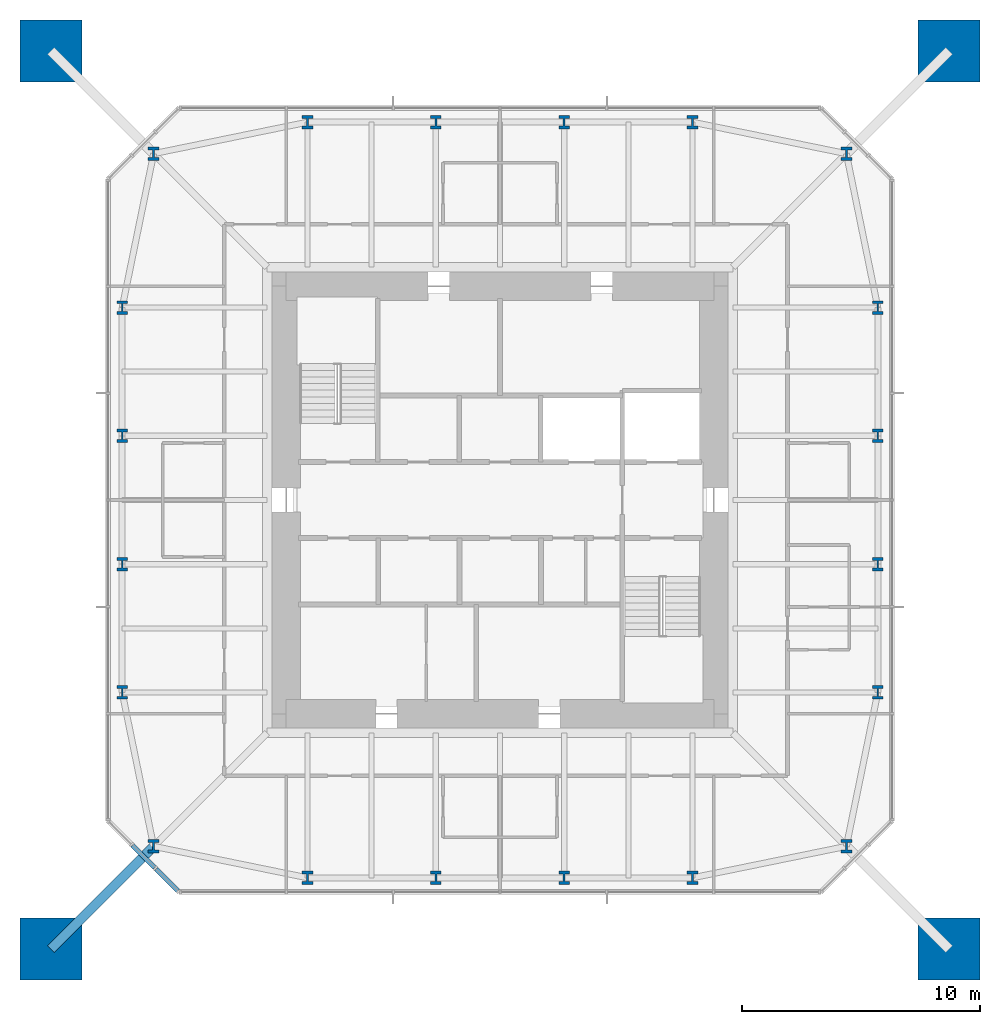
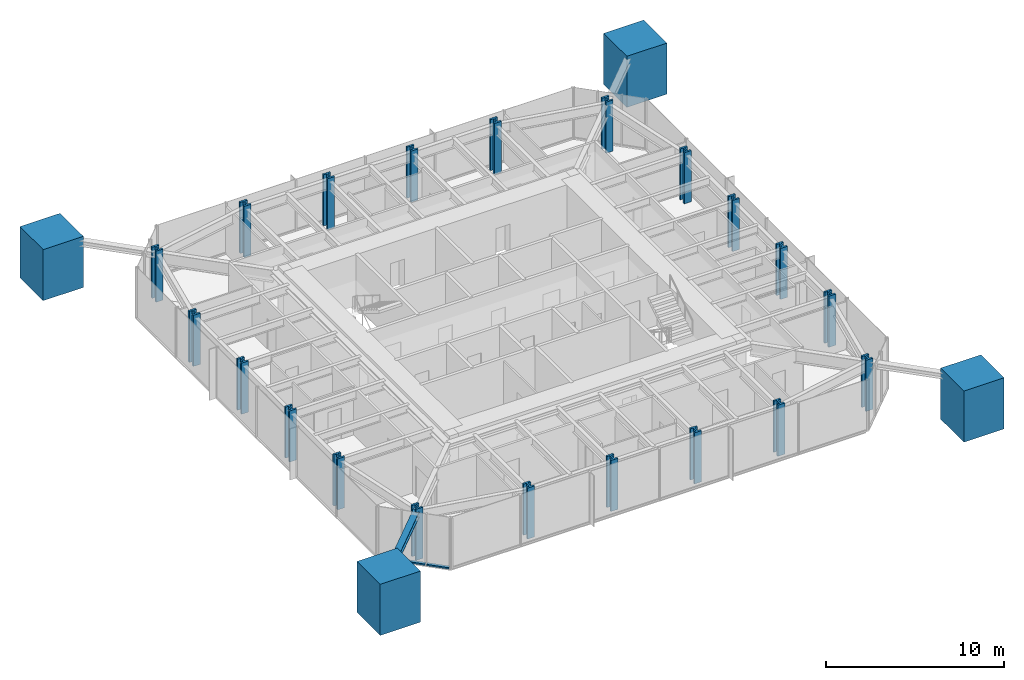
# One storey, part 1 of 9: 24 columns, 3 members, 1 element without a shape of its own.
"""IFC4 building model written with IfcOpenShell, lengths in metres."""

from ifc_helpers import new_model, si_unit, direction, frame, origin, origin_2d, place, context, subcontext, project, spatial, rectangle, i_section, extrude, material, material_profile, profile_set, type_object, element, aggregate, save


model = new_model("IFC4")

# Units and contexts
model_context = context("Model", 3, precision=1e-05, world=origin(), true_north=direction((0.0, 1.0)))
body_context = subcontext(model_context, "Body", "Model", "MODEL_VIEW")
ifc_project = project(units=[si_unit("LENGTHUNIT", "METRE"), si_unit("AREAUNIT", "SQUARE_METRE"), si_unit("VOLUMEUNIT", "CUBIC_METRE"), si_unit("PLANEANGLEUNIT", "RADIAN"), si_unit("MASSUNIT", "GRAM", prefix="KILO")], contexts=[model_context])

# Site, building, storey
site_placement = place(None, origin())
site = spatial("IfcSite", under=ifc_project, at=site_placement, CompositionType="ELEMENT")
building_placement = place(site_placement, origin())
building = spatial("IfcBuilding", under=site, at=building_placement, Name="Iwan Alto Co-Living Towers", CompositionType="ELEMENT")
storey_placement = place(building_placement, frame((0.0, 0.0, 250.0)))
storey = spatial("IfcBuildingStorey", under=building, at=storey_placement, Name="L68", CompositionType="ELEMENT", Elevation=250.0)

# Columns
ifc_material_1 = material(Name="Concrete f'c 70 MPa", Category="concrete")
ifc_material_profile_1 = material_profile(ifc_material_1, rectangle(XDim=2.60009765625, YDim=2.60009765625, at=origin_2d()), Name="RC 2600X2600")
ifc_profile_set_1 = profile_set([ifc_material_profile_1], Name="Concrete f'c 70 MPa")
column_type_1 = type_object("IfcColumnType", Name="T1 MEGA COLUMN RC 2600X2600", PredefinedType="COLUMN", material=ifc_profile_set_1)
for number, where, z_axis, x_axis, name in (
    (1, (-18.89990234375, -18.89990234375, 0.0), (0.0, 0.0, 1.0), (1.0, 0.0, 0.0), "T1 mega column SW L68"),
    (2, (18.89990234375, -18.89990234375, 0.0), (0.0, 0.0, 1.0), (1.0, 0.0, 0.0), "T1 mega column SE L68"),
    (3, (18.89990234375, 18.89990234375, 0.0), (0.0, 0.0, 1.0), (1.0, 0.0, 0.0), "T1 mega column NE L68"),
    (4, (-18.89990234375, 18.89990234375, 0.0), (0.0, 0.0, 1.0), (1.0, 0.0, 0.0), "T1 mega column NW L68"),
):
    element("IfcColumn", number, at=place(storey_placement, frame(where, z_axis=z_axis, x_axis=x_axis)), inside=storey, type_object=column_type_1, Name=name, PredefinedType="COLUMN", context=body_context, shape_type="SweptSolid", body=[
        extrude(rectangle(XDim=2.60009765625, YDim=2.60009765625, at=origin_2d()), origin(), (0.0, 0.0, 1.0), 3.5),
        extrude(i_section(OverallWidth=0.4775390625, OverallDepth=0.599365234375, WebThickness=0.10009765625, FlangeThickness=0.139892578125, at=origin_2d()), origin(), (0.0, 0.0, 1.0), 3.5),
    ])
ifc_material_2 = material(Name="Steel ASTM A992 Gr 50", Category="steel")
ifc_material_profile_2 = material_profile(ifc_material_2, i_section(OverallWidth=0.45458984375, OverallDepth=0.56884765625, WebThickness=0.077880859375, FlangeThickness=0.124755859375, at=origin_2d()), Name="W14X730")
ifc_profile_set_2 = profile_set([ifc_material_profile_2], Name="Steel ASTM A992 Gr 50")
column_type_2 = type_object("IfcColumnType", Name="T1 RING COLUMN W14X730", PredefinedType="COLUMN", material=ifc_profile_set_2)
for number, where, z_axis, x_axis, name in (
    (5, (-14.57568359375, -14.57568359375, 0.0), (0.0, 0.0, 1.0), (1.0, 0.0, 0.0), "T1 ring column CSW L68"),
    (6, (-8.10009765625, -15.89990234375, 0.0), (0.0, 0.0, 1.0), (1.0, 0.0, 0.0), "T1 ring column S1 L68"),
    (7, (-2.699951171875, -15.89990234375, 0.0), (0.0, 0.0, 1.0), (1.0, 0.0, 0.0), "T1 ring column S2 L68"),
    (8, (2.699951171875, -15.89990234375, 0.0), (0.0, 0.0, 1.0), (1.0, 0.0, 0.0), "T1 ring column S3 L68"),
    (9, (8.10009765625, -15.89990234375, 0.0), (0.0, 0.0, 1.0), (1.0, 0.0, 0.0), "T1 ring column S4 L68"),
    (10, (14.57568359375, -14.57568359375, 0.0), (0.0, 0.0, 1.0), (1.0, 0.0, 0.0), "T1 ring column CSE L68"),
    (11, (15.89990234375, -8.10009765625, 0.0), (0.0, 0.0, 1.0), (1.0, 0.0, 0.0), "T1 ring column E1 L68"),
    (12, (15.89990234375, -2.699951171875, 0.0), (0.0, 0.0, 1.0), (1.0, 0.0, 0.0), "T1 ring column E2 L68"),
    (13, (15.89990234375, 2.699951171875, 0.0), (0.0, 0.0, 1.0), (1.0, 0.0, 0.0), "T1 ring column E3 L68"),
    (14, (15.89990234375, 8.10009765625, 0.0), (0.0, 0.0, 1.0), (1.0, 0.0, 0.0), "T1 ring column E4 L68"),
    (15, (14.57568359375, 14.57568359375, 0.0), (0.0, 0.0, 1.0), (1.0, 0.0, 0.0), "T1 ring column CNE L68"),
    (16, (8.10009765625, 15.89990234375, 0.0), (0.0, 0.0, 1.0), (1.0, 0.0, 0.0), "T1 ring column N1 L68"),
    (17, (2.699951171875, 15.89990234375, 0.0), (0.0, 0.0, 1.0), (1.0, 0.0, 0.0), "T1 ring column N2 L68"),
    (18, (-2.699951171875, 15.89990234375, 0.0), (0.0, 0.0, 1.0), (1.0, 0.0, 0.0), "T1 ring column N3 L68"),
    (19, (-8.10009765625, 15.89990234375, 0.0), (0.0, 0.0, 1.0), (1.0, 0.0, 0.0), "T1 ring column N4 L68"),
    (20, (-14.57568359375, 14.57568359375, 0.0), (0.0, 0.0, 1.0), (1.0, 0.0, 0.0), "T1 ring column CNW L68"),
    (21, (-15.89990234375, 8.10009765625, 0.0), (0.0, 0.0, 1.0), (1.0, 0.0, 0.0), "T1 ring column W1 L68"),
    (22, (-15.89990234375, 2.699951171875, 0.0), (0.0, 0.0, 1.0), (1.0, 0.0, 0.0), "T1 ring column W2 L68"),
    (23, (-15.89990234375, -2.699951171875, 0.0), (0.0, 0.0, 1.0), (1.0, 0.0, 0.0), "T1 ring column W3 L68"),
    (24, (-15.89990234375, -8.10009765625, 0.0), (0.0, 0.0, 1.0), (1.0, 0.0, 0.0), "T1 ring column W4 L68"),
):
    element("IfcColumn", number, at=place(storey_placement, frame(where, z_axis=z_axis, x_axis=x_axis)), inside=storey, type_object=column_type_2, Name=name, PredefinedType="COLUMN", context=body_context, shape_type="SweptSolid", body=[
        extrude(i_section(OverallWidth=0.45458984375, OverallDepth=0.56884765625, WebThickness=0.077880859375, FlangeThickness=0.124755859375, at=origin_2d()), origin(), (0.0, 0.0, 1.0), 3.5),
    ])

# Curtain wall, members
ifc_material_3 = material(Name="Bronze aluminium unitised frame", Category="aluminium")
curtain_wall_type = type_object("IfcCurtainWallType", Name="CURTAIN WALL CW-B", PredefinedType="NOTDEFINED", material=ifc_material_3)
curtain_wall_placement = place(storey_placement, origin())
curtain_wall = element("IfcCurtainWall", 25, at=curtain_wall_placement, inside=storey, type_object=curtain_wall_type, Name="T1 chamfer curtain wall SW L68", PredefinedType="NOTDEFINED")
ifc_material_4 = material(Name="Aluminium 6063-T6 bronze anodised", Category="aluminium")
ifc_material_profile_3 = material_profile(ifc_material_4, rectangle(XDim=0.199951171875, YDim=0.10009765625, at=origin_2d()), Name="AL 200X100")
ifc_profile_set_3 = profile_set([ifc_material_profile_3], Name="Aluminium 6063-T6 bronze anodised")
member_type_1 = type_object("IfcMemberType", Name="CW-B TRANSOM 200X100", PredefinedType="USERDEFINED", material=ifc_profile_set_3)
member_1_placement = place(storey_placement, frame((-15.4716796875, -14.5283203125, 0.050048828125), z_axis=(0.707106781187, -0.707106781187, 0.0), x_axis=(0.707106781187, 0.707106781187, 0.0)))
member_1 = element("IfcMember", 26, at=member_1_placement, type_object=member_type_1, Name="CW-B transom 2.1", ObjectType="TRANSOM", PredefinedType="USERDEFINED", context=body_context, shape_type="SweptSolid", body=[
    extrude(rectangle(XDim=0.199951171875, YDim=0.10009765625, at=origin_2d()), origin(), (0.0, 0.0, 1.0), 1.334228515625),
])
member_2_placement = place(storey_placement, frame((-14.4716796875, -15.5283203125, 0.050048828125), z_axis=(0.707106781187, -0.707106781187, 0.0), x_axis=(0.707106781187, 0.707106781187, 0.0)))
member_2 = element("IfcMember", 27, at=member_2_placement, type_object=member_type_1, Name="CW-B transom 3.1", ObjectType="TRANSOM", PredefinedType="USERDEFINED", context=body_context, shape_type="SweptSolid", body=[
    extrude(rectangle(XDim=0.199951171875, YDim=0.10009765625, at=origin_2d()), origin(), (0.0, 0.0, 1.0), 1.2939453125),
])
aggregate(curtain_wall, [member_1, member_2])

# Member
ifc_material_5 = material(Name="Steel ASTM A992 Gr 50", Category="steel")
ifc_material_profile_4 = material_profile(ifc_material_5, i_section(OverallWidth=0.393798828125, OverallDepth=0.3759765625, WebThickness=0.017333984375, FlangeThickness=0.027587890625, at=origin_2d()), Name="W14X145")
ifc_profile_set_4 = profile_set([ifc_material_profile_4], Name="Steel ASTM A992 Gr 50")
member_type_2 = type_object("IfcMemberType", Name="T1 MEGA COLUMN FLOOR TIE W14X145", PredefinedType="STRUT", material=ifc_profile_set_4)
member_3_placement = place(storey_placement, frame((-18.89990234375, -18.89990234375, 3.08203125), z_axis=(0.707106781187, 0.707106781187, 0.0), x_axis=(-0.707106781187, 0.707106781187, 0.0)))
element("IfcMember", 28, at=member_3_placement, inside=storey, type_object=member_type_2, Name="T1 mega column floor tie SW L69", PredefinedType="STRUT", context=body_context, shape_type="SweptSolid", body=[
    extrude(i_section(OverallWidth=0.393798828125, OverallDepth=0.3759765625, WebThickness=0.017333984375, FlangeThickness=0.027587890625, at=origin_2d()), origin(), (0.0, 0.0, 1.0), 6.115478515625),
])

save(model, "model.ifc")
